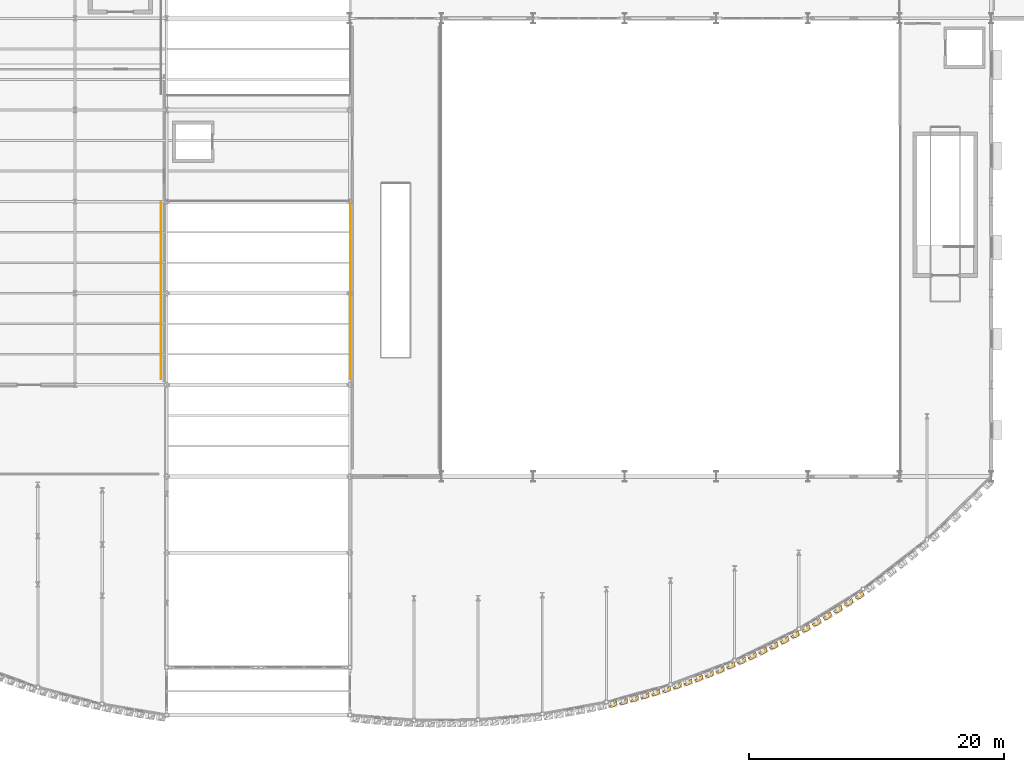
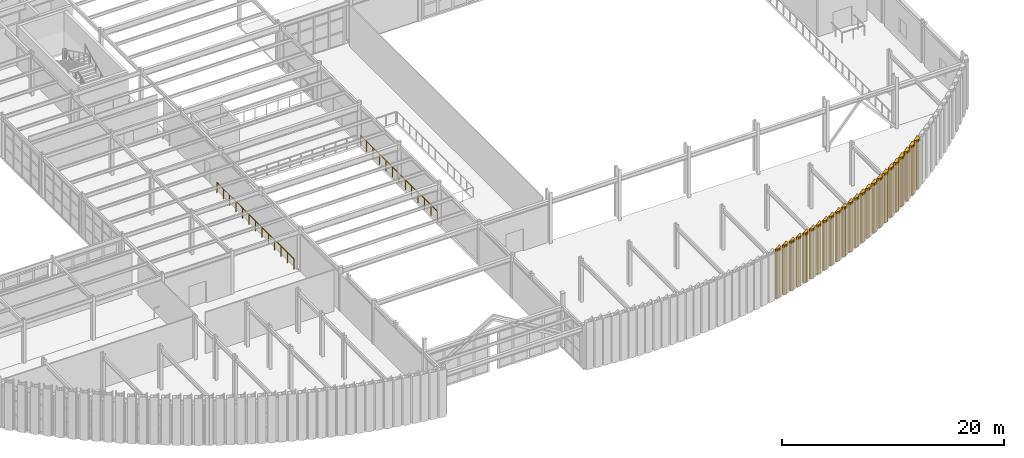
# One storey, part 119 of 126: 24 coverings, 2 railings.
"""IFC4 building model written with IfcOpenShell, lengths in metres."""

from ifc_helpers import new_model, si_unit, direction, frame, origin, origin_2d, place, context, subcontext, project, spatial, polyline, circle, outline, extrude, material, layer, layer_set, type_object, element, save


model = new_model("IFC4")

# Units and contexts
model_context = context("Model", 3, precision=1e-05, world=origin(), true_north=direction((0.0, 1.0)))
body_context = subcontext(model_context, "Body", "Model", "MODEL_VIEW")
ifc_project = project(units=[si_unit("LENGTHUNIT", "METRE"), si_unit("AREAUNIT", "SQUARE_METRE"), si_unit("VOLUMEUNIT", "CUBIC_METRE"), si_unit("PLANEANGLEUNIT", "RADIAN"), si_unit("MASSUNIT", "GRAM", prefix="KILO")], contexts=[model_context])

# Site, building, storey
site_placement = place(None, origin())
site = spatial("IfcSite", under=ifc_project, at=site_placement, CompositionType="ELEMENT")
building_placement = place(site_placement, origin())
building = spatial("IfcBuilding", under=site, at=building_placement, Name="Solvadek Multi-Sports Hall", CompositionType="ELEMENT")
storey_placement = place(building_placement, frame((0.0, 0.0, 9.60009765625)))
storey = spatial("IfcBuildingStorey", under=building, at=storey_placement, Name="L02", CompositionType="ELEMENT", Elevation=9.60009765625)

# Coverings
ifc_material_1 = material(Name="Perforated champagne-bronze anodised aluminium", Category="aluminium")
ifc_layer = layer(ifc_material_1, 0.06494140625, Name="Perforated champagne-bronze anodised aluminium")
ifc_layer_set = layer_set([ifc_layer], Name="Perforated champagne-bronze anodised aluminium")
covering_type = type_object("IfcCoveringType", Name="ENV-COV-FLUTED", PredefinedType="CLADDING", material=ifc_layer_set)
covering_1_placement = place(storey_placement, frame((0.0, 0.0, 0.010009765625)))
element("IfcCovering", 1, at=covering_1_placement, inside=storey, type_object=covering_type, Name="L02 Perforated Bronze Half-Cylinder Fluted Shell #159", PredefinedType="CLADDING", context=body_context, shape_type="SweptSolid", body=[
    extrude(outline(polyline([(107.402099609375, -11.635986328125), (107.408935546875, -11.7958984375), (107.35400390625, -11.9462890625), (107.24609375, -12.064208984375), (107.100830078125, -12.131591796875), (106.941162109375, -12.138427734375), (106.790771484375, -12.083740234375), (106.6728515625, -11.9755859375), (106.60546875, -11.83056640625), (106.668701171875, -11.815185546875), (106.56591796875, -11.937255859375), (106.52978515625, -12.0283203125), (106.56591796875, -12.07421875), (106.668701171875, -12.068603515625), (106.822265625, -12.01171875), (107.003662109375, -11.91259765625), (107.18505859375, -11.785888671875), (107.3388671875, -11.651611328125), (107.402099609375, -11.635986328125)])), origin(), (0.0, 0.0, 1.0), 5.489990234375),
])
covering_2_placement = place(storey_placement, frame((0.0, 0.0, 0.010009765625)))
element("IfcCovering", 2, at=covering_2_placement, inside=storey, type_object=covering_type, Name="L02 Perforated Bronze Half-Cylinder Fluted Shell #160", PredefinedType="CLADDING", context=body_context, shape_type="SweptSolid", body=[
    extrude(outline(polyline([(108.241943359375, -11.430908203125), (108.248779296875, -11.5908203125), (108.194091796875, -11.7412109375), (108.0859375, -11.85888671875), (107.94091796875, -11.926513671875), (107.781005859375, -11.93359375), (107.630859375, -11.878662109375), (107.512939453125, -11.7705078125), (107.4453125, -11.62548828125), (107.508544921875, -11.610107421875), (107.40576171875, -11.732177734375), (107.36962890625, -11.822998046875), (107.40576171875, -11.869140625), (107.508544921875, -11.86328125), (107.662353515625, -11.806640625), (107.84375, -11.70751953125), (108.025146484375, -11.580810546875), (108.178955078125, -11.446533203125), (108.241943359375, -11.430908203125)])), origin(), (0.0, 0.0, 1.0), 5.489990234375),
])
covering_3_placement = place(storey_placement, frame((0.0, 0.0, 0.010009765625)))
element("IfcCovering", 3, at=covering_3_placement, inside=storey, type_object=covering_type, Name="L02 Perforated Bronze Half-Cylinder Fluted Shell #163", PredefinedType="CLADDING", context=body_context, shape_type="SweptSolid", body=[
    extrude(outline(polyline([(109.081787109375, -11.199951171875), (109.093505859375, -11.359619140625), (109.043212890625, -11.511474609375), (108.938720703125, -11.632568359375), (108.795654296875, -11.704345703125), (108.635986328125, -11.716064453125), (108.484375, -11.665771484375), (108.36328125, -11.56103515625), (108.29150390625, -11.418212890625), (108.35400390625, -11.40087890625), (108.252197265625, -11.521240234375), (108.21630859375, -11.609130859375), (108.252197265625, -11.651611328125), (108.35400390625, -11.6416015625), (108.506591796875, -11.581298828125), (108.6865234375, -11.4794921875), (108.86669921875, -11.3515625), (109.019287109375, -11.21728515625), (109.081787109375, -11.199951171875)])), origin(), (0.0, 0.0, 1.0), 5.489990234375),
])
covering_4_placement = place(storey_placement, frame((0.0, 0.0, 0.010009765625)))
element("IfcCovering", 4, at=covering_4_placement, inside=storey, type_object=covering_type, Name="L02 Perforated Bronze Half-Cylinder Fluted Shell #164", PredefinedType="CLADDING", context=body_context, shape_type="SweptSolid", body=[
    extrude(outline(polyline([(109.921875, -10.96826171875), (109.93359375, -11.127685546875), (109.88330078125, -11.279541015625), (109.778564453125, -11.400634765625), (109.6357421875, -11.472412109375), (109.47607421875, -11.484130859375), (109.32421875, -11.433837890625), (109.203125, -11.329345703125), (109.13134765625, -11.186279296875), (109.194091796875, -11.169189453125), (109.092041015625, -11.289306640625), (109.056396484375, -11.37744140625), (109.092041015625, -11.419677734375), (109.194091796875, -11.409912109375), (109.3466796875, -11.349365234375), (109.526611328125, -11.24755859375), (109.70654296875, -11.119873046875), (109.859130859375, -10.985595703125), (109.921875, -10.96826171875)])), origin(), (0.0, 0.0, 1.0), 5.489990234375),
])
covering_5_placement = place(storey_placement, frame((0.0, 0.0, 0.010009765625)))
element("IfcCovering", 5, at=covering_5_placement, inside=storey, type_object=covering_type, Name="L02 Perforated Bronze Half-Cylinder Fluted Shell #167", PredefinedType="CLADDING", context=body_context, shape_type="SweptSolid", body=[
    extrude(outline(polyline([(110.76123046875, -10.7099609375), (110.777587890625, -10.869140625), (110.73193359375, -11.0224609375), (110.631103515625, -11.146484375), (110.490478515625, -11.22265625), (110.331298828125, -11.239013671875), (110.177978515625, -11.193359375), (110.0537109375, -11.092529296875), (109.977783203125, -10.951904296875), (110.039794921875, -10.9326171875), (109.938720703125, -11.051025390625), (109.9033203125, -11.135986328125), (109.938720703125, -11.17431640625), (110.039794921875, -11.16064453125), (110.191162109375, -11.0966796875), (110.369384765625, -10.9921875), (110.5478515625, -10.863037109375), (110.69921875, -10.729248046875), (110.76123046875, -10.7099609375)])), origin(), (0.0, 0.0, 1.0), 5.489990234375),
])
covering_6_placement = place(storey_placement, frame((0.0, 0.0, 0.010009765625)))
element("IfcCovering", 6, at=covering_6_placement, inside=storey, type_object=covering_type, Name="L02 Perforated Bronze Half-Cylinder Fluted Shell #168", PredefinedType="CLADDING", context=body_context, shape_type="SweptSolid", body=[
    extrude(outline(polyline([(111.601318359375, -10.45068359375), (111.61767578125, -10.60986328125), (111.572021484375, -10.76318359375), (111.47119140625, -10.887451171875), (111.330322265625, -10.96337890625), (111.17138671875, -10.97998046875), (111.01806640625, -10.93408203125), (110.893798828125, -10.833251953125), (110.817626953125, -10.692626953125), (110.8798828125, -10.67333984375), (110.77880859375, -10.791748046875), (110.743408203125, -10.876708984375), (110.77880859375, -10.915283203125), (110.8798828125, -10.9013671875), (111.031005859375, -10.83740234375), (111.20947265625, -10.73291015625), (111.387939453125, -10.603759765625), (111.5390625, -10.469970703125), (111.601318359375, -10.45068359375)])), origin(), (0.0, 0.0, 1.0), 5.489990234375),
])
covering_7_placement = place(storey_placement, frame((0.0, 0.0, 0.010009765625)))
element("IfcCovering", 7, at=covering_7_placement, inside=storey, type_object=covering_type, Name="L02 Perforated Bronze Half-Cylinder Fluted Shell #171", PredefinedType="CLADDING", context=body_context, shape_type="SweptSolid", body=[
    extrude(outline(polyline([(112.440185546875, -10.164794921875), (112.461669921875, -10.3232421875), (112.42041015625, -10.477783203125), (112.323486328125, -10.60498046875), (112.18505859375, -10.685302734375), (112.026611328125, -10.70654296875), (111.871826171875, -10.66552734375), (111.744873046875, -10.568603515625), (111.664306640625, -10.43017578125), (111.725830078125, -10.4091796875), (111.6259765625, -10.525390625), (111.5908203125, -10.607177734375), (111.6259765625, -10.6416015625), (111.725830078125, -10.623779296875), (111.875732421875, -10.556396484375), (112.052490234375, -10.44921875), (112.22900390625, -10.319091796875), (112.37890625, -10.185791015625), (112.440185546875, -10.164794921875)])), origin(), (0.0, 0.0, 1.0), 5.489990234375),
])
covering_8_placement = place(storey_placement, frame((0.0, 0.0, 0.010009765625)))
element("IfcCovering", 8, at=covering_8_placement, inside=storey, type_object=covering_type, Name="L02 Perforated Bronze Half-Cylinder Fluted Shell #172", PredefinedType="CLADDING", context=body_context, shape_type="SweptSolid", body=[
    extrude(outline(polyline([(113.2802734375, -9.877197265625), (113.301513671875, -10.035888671875), (113.260498046875, -10.1904296875), (113.163330078125, -10.317626953125), (113.025146484375, -10.39794921875), (112.866455078125, -10.419189453125), (112.7119140625, -10.378173828125), (112.584716796875, -10.281005859375), (112.50439453125, -10.142578125), (112.56591796875, -10.12158203125), (112.4658203125, -10.238037109375), (112.4306640625, -10.31982421875), (112.4658203125, -10.354248046875), (112.56591796875, -10.33642578125), (112.7158203125, -10.268798828125), (112.892333984375, -10.161865234375), (113.069091796875, -10.03173828125), (113.21875, -9.898193359375), (113.2802734375, -9.877197265625)])), origin(), (0.0, 0.0, 1.0), 5.489990234375),
])
covering_9_placement = place(storey_placement, frame((0.0, 0.0, 0.010009765625)))
element("IfcCovering", 9, at=covering_9_placement, inside=storey, type_object=covering_type, Name="L02 Perforated Bronze Half-Cylinder Fluted Shell #175", PredefinedType="CLADDING", context=body_context, shape_type="SweptSolid", body=[
    extrude(outline(polyline([(114.118896484375, -9.5625), (114.14501953125, -9.72021484375), (114.10888671875, -9.876220703125), (114.015625, -10.006103515625), (113.8798828125, -10.0908203125), (113.721923828125, -10.11669921875), (113.566162109375, -10.08056640625), (113.43603515625, -9.9873046875), (113.3515625, -9.8515625), (113.412353515625, -9.82861328125), (113.3134765625, -9.94287109375), (113.27880859375, -10.021240234375), (113.3134765625, -10.0517578125), (113.412353515625, -10.02978515625), (113.560546875, -9.958740234375), (113.7353515625, -9.849365234375), (113.909912109375, -9.718017578125), (114.05810546875, -9.585205078125), (114.118896484375, -9.5625)])), origin(), (0.0, 0.0, 1.0), 5.489990234375),
])
covering_10_placement = place(storey_placement, frame((0.0, 0.0, 0.010009765625)))
element("IfcCovering", 10, at=covering_10_placement, inside=storey, type_object=covering_type, Name="L02 Perforated Bronze Half-Cylinder Fluted Shell #176", PredefinedType="CLADDING", context=body_context, shape_type="SweptSolid", body=[
    extrude(outline(polyline([(114.958984375, -9.245849609375), (114.985107421875, -9.40380859375), (114.94873046875, -9.5595703125), (114.855712890625, -9.689697265625), (114.7197265625, -9.774169921875), (114.56201171875, -9.80029296875), (114.40625, -9.763916015625), (114.276123046875, -9.6708984375), (114.191650390625, -9.534912109375), (114.25244140625, -9.51220703125), (114.153564453125, -9.62646484375), (114.11865234375, -9.704833984375), (114.153564453125, -9.7353515625), (114.25244140625, -9.71337890625), (114.400390625, -9.64208984375), (114.5751953125, -9.53271484375), (114.75, -9.401611328125), (114.898193359375, -9.268798828125), (114.958984375, -9.245849609375)])), origin(), (0.0, 0.0, 1.0), 5.489990234375),
])
covering_11_placement = place(storey_placement, frame((0.0, 0.0, 0.010009765625)))
element("IfcCovering", 11, at=covering_11_placement, inside=storey, type_object=covering_type, Name="L02 Perforated Bronze Half-Cylinder Fluted Shell #179", PredefinedType="CLADDING", context=body_context, shape_type="SweptSolid", body=[
    extrude(outline(polyline([(115.797119140625, -8.9013671875), (115.828125, -9.058349609375), (115.796630859375, -9.215087890625), (115.707763671875, -9.347900390625), (115.57470703125, -9.436767578125), (115.41748046875, -9.4677734375), (115.2607421875, -9.436279296875), (115.1279296875, -9.34716796875), (115.039306640625, -9.214111328125), (115.09912109375, -9.189208984375), (115.00146484375, -9.30126953125), (114.967041015625, -9.376220703125), (115.00146484375, -9.402587890625), (115.09912109375, -9.376708984375), (115.24560546875, -9.302001953125), (115.418212890625, -9.190185546875), (115.5908203125, -9.05810546875), (115.737060546875, -8.926025390625), (115.797119140625, -8.9013671875)])), origin(), (0.0, 0.0, 1.0), 5.489990234375),
])
covering_12_placement = place(storey_placement, frame((0.0, 0.0, 0.010009765625)))
element("IfcCovering", 12, at=covering_12_placement, inside=storey, type_object=covering_type, Name="L02 Perforated Bronze Half-Cylinder Fluted Shell #180", PredefinedType="CLADDING", context=body_context, shape_type="SweptSolid", body=[
    extrude(outline(polyline([(116.63720703125, -8.5546875), (116.668212890625, -8.711669921875), (116.63671875, -8.868408203125), (116.547607421875, -9.00146484375), (116.41455078125, -9.090087890625), (116.257568359375, -9.12109375), (116.100830078125, -9.089599609375), (115.968017578125, -9.00048828125), (115.879150390625, -8.867431640625), (115.939208984375, -8.8427734375), (115.841552734375, -8.95458984375), (115.80712890625, -9.029541015625), (115.841552734375, -9.05615234375), (115.939208984375, -9.030029296875), (116.085693359375, -8.955322265625), (116.258056640625, -8.843505859375), (116.4306640625, -8.71142578125), (116.5771484375, -8.57958984375), (116.63720703125, -8.5546875)])), origin(), (0.0, 0.0, 1.0), 5.489990234375),
])
covering_13_placement = place(storey_placement, frame((0.0, 0.0, 0.010009765625)))
element("IfcCovering", 13, at=covering_13_placement, inside=storey, type_object=covering_type, Name="L02 Perforated Bronze Half-Cylinder Fluted Shell #183", PredefinedType="CLADDING", context=body_context, shape_type="SweptSolid", body=[
    extrude(outline(polyline([(117.474853515625, -8.17919921875), (117.510986328125, -8.335205078125), (117.484375, -8.492919921875), (117.399658203125, -8.62841796875), (117.269287109375, -8.721435546875), (117.11328125, -8.75732421875), (116.95556640625, -8.730712890625), (116.820068359375, -8.64599609375), (116.72705078125, -8.515625), (116.786376953125, -8.489013671875), (116.68994140625, -8.5986328125), (116.656005859375, -8.670166015625), (116.68994140625, -8.6923828125), (116.786376953125, -8.662109375), (116.930908203125, -8.583984375), (117.10107421875, -8.4697265625), (117.271240234375, -8.337158203125), (117.41552734375, -8.205810546875), (117.474853515625, -8.17919921875)])), origin(), (0.0, 0.0, 1.0), 5.489990234375),
])
covering_14_placement = place(storey_placement, frame((0.0, 0.0, 0.010009765625)))
element("IfcCovering", 14, at=covering_14_placement, inside=storey, type_object=covering_type, Name="L02 Perforated Bronze Half-Cylinder Fluted Shell #184", PredefinedType="CLADDING", context=body_context, shape_type="SweptSolid", body=[
    extrude(outline(polyline([(118.31494140625, -7.80126953125), (118.350830078125, -7.95703125), (118.324462890625, -8.114990234375), (118.239501953125, -8.25048828125), (118.109375, -8.343505859375), (117.953369140625, -8.37939453125), (117.795654296875, -8.352783203125), (117.659912109375, -8.26806640625), (117.567138671875, -8.1376953125), (117.62646484375, -8.111083984375), (117.530029296875, -8.220703125), (117.49609375, -8.2919921875), (117.530029296875, -8.314208984375), (117.62646484375, -8.2841796875), (117.770751953125, -8.2060546875), (117.94091796875, -8.091796875), (118.111328125, -7.958984375), (118.255615234375, -7.827880859375), (118.31494140625, -7.80126953125)])), origin(), (0.0, 0.0, 1.0), 5.489990234375),
])
covering_15_placement = place(storey_placement, frame((0.0, 0.0, 0.010009765625)))
element("IfcCovering", 15, at=covering_15_placement, inside=storey, type_object=covering_type, Name="L02 Perforated Bronze Half-Cylinder Fluted Shell #187", PredefinedType="CLADDING", context=body_context, shape_type="SweptSolid", body=[
    extrude(outline(polyline([(119.15234375, -7.393798828125), (119.193115234375, -7.54833984375), (119.171630859375, -7.706787109375), (119.09130859375, -7.84521484375), (118.964111328125, -7.942138671875), (118.809326171875, -7.98291015625), (118.65087890625, -7.961669921875), (118.512451171875, -7.881103515625), (118.41552734375, -7.75390625), (118.47412109375, -7.725341796875), (118.37890625, -7.83251953125), (118.345703125, -7.900146484375), (118.37890625, -7.918212890625), (118.47412109375, -7.8837890625), (118.6162109375, -7.802001953125), (118.783935546875, -7.685791015625), (118.95166015625, -7.552490234375), (119.093994140625, -7.422119140625), (119.15234375, -7.393798828125)])), origin(), (0.0, 0.0, 1.0), 5.489990234375),
])
covering_16_placement = place(storey_placement, frame((0.0, 0.0, 0.010009765625)))
element("IfcCovering", 16, at=covering_16_placement, inside=storey, type_object=covering_type, Name="L02 Perforated Bronze Half-Cylinder Fluted Shell #188", PredefinedType="CLADDING", context=body_context, shape_type="SweptSolid", body=[
    extrude(outline(polyline([(119.9921875, -6.98291015625), (120.033203125, -7.1376953125), (120.01171875, -7.296142578125), (119.931396484375, -7.4345703125), (119.803955078125, -7.531494140625), (119.6494140625, -7.572265625), (119.49072265625, -7.55078125), (119.3525390625, -7.470458984375), (119.255615234375, -7.34326171875), (119.31396484375, -7.314697265625), (119.218994140625, -7.421630859375), (119.185546875, -7.489501953125), (119.218994140625, -7.50732421875), (119.31396484375, -7.472900390625), (119.456298828125, -7.391357421875), (119.623779296875, -7.275146484375), (119.791748046875, -7.1416015625), (119.933837890625, -7.011474609375), (119.9921875, -6.98291015625)])), origin(), (0.0, 0.0, 1.0), 5.489990234375),
])
covering_17_placement = place(storey_placement, frame((0.0, 0.0, 0.010009765625)))
element("IfcCovering", 17, at=covering_17_placement, inside=storey, type_object=covering_type, Name="L02 Perforated Bronze Half-Cylinder Fluted Shell #191", PredefinedType="CLADDING", context=body_context, shape_type="SweptSolid", body=[
    extrude(outline(polyline([(120.8291015625, -6.5419921875), (120.875, -6.695068359375), (120.858642578125, -6.854248046875), (120.78271484375, -6.9951171875), (120.65869140625, -7.09619140625), (120.505615234375, -7.14208984375), (120.34619140625, -7.125732421875), (120.20556640625, -7.0498046875), (120.1044921875, -6.92578125), (120.161865234375, -6.895263671875), (120.068603515625, -6.999755859375), (120.03564453125, -7.063720703125), (120.068603515625, -7.077392578125), (120.161865234375, -7.038818359375), (120.3017578125, -6.95361328125), (120.466796875, -6.835205078125), (120.6318359375, -6.701416015625), (120.771728515625, -6.572265625), (120.8291015625, -6.5419921875)])), origin(), (0.0, 0.0, 1.0), 5.489990234375),
])
covering_18_placement = place(storey_placement, frame((0.0, 0.0, 0.010009765625)))
element("IfcCovering", 18, at=covering_18_placement, inside=storey, type_object=covering_type, Name="L02 Perforated Bronze Half-Cylinder Fluted Shell #192", PredefinedType="CLADDING", context=body_context, shape_type="SweptSolid", body=[
    extrude(outline(polyline([(121.669189453125, -6.096923828125), (121.715087890625, -6.250244140625), (121.69873046875, -6.4091796875), (121.622802734375, -6.550048828125), (121.498779296875, -6.651123046875), (121.345458984375, -6.697021484375), (121.186279296875, -6.6806640625), (121.04541015625, -6.604736328125), (120.944580078125, -6.480712890625), (121.001953125, -6.4501953125), (120.908447265625, -6.5546875), (120.875732421875, -6.61865234375), (120.908447265625, -6.63232421875), (121.001953125, -6.59375), (121.141845703125, -6.5087890625), (121.306884765625, -6.39013671875), (121.4716796875, -6.25634765625), (121.61181640625, -6.12744140625), (121.669189453125, -6.096923828125)])), origin(), (0.0, 0.0, 1.0), 5.489990234375),
])
covering_19_placement = place(storey_placement, frame((0.0, 0.0, 0.010009765625)))
element("IfcCovering", 19, at=covering_19_placement, inside=storey, type_object=covering_type, Name="L02 Perforated Bronze Half-Cylinder Fluted Shell #195", PredefinedType="CLADDING", context=body_context, shape_type="SweptSolid", body=[
    extrude(outline(polyline([(122.505615234375, -5.62060546875), (122.556396484375, -5.772216796875), (122.54541015625, -5.931640625), (122.47412109375, -6.074951171875), (122.353515625, -6.179931640625), (122.201904296875, -6.23095703125), (122.042236328125, -6.219970703125), (121.89892578125, -6.148681640625), (121.7939453125, -6.028076171875), (121.850341796875, -5.99560546875), (121.758544921875, -6.09716796875), (121.726318359375, -6.1572265625), (121.758544921875, -6.16650390625), (121.850341796875, -6.12353515625), (121.98779296875, -6.03515625), (122.149658203125, -5.914794921875), (122.311767578125, -5.780517578125), (122.44921875, -5.65283203125), (122.505615234375, -5.62060546875)])), origin(), (0.0, 0.0, 1.0), 5.489990234375),
])
covering_20_placement = place(storey_placement, frame((0.0, 0.0, 0.010009765625)))
element("IfcCovering", 20, at=covering_20_placement, inside=storey, type_object=covering_type, Name="L02 Perforated Bronze Half-Cylinder Fluted Shell #196", PredefinedType="CLADDING", context=body_context, shape_type="SweptSolid", body=[
    extrude(outline(polyline([(123.345458984375, -5.139404296875), (123.396484375, -5.291015625), (123.385498046875, -5.45068359375), (123.314208984375, -5.59375), (123.193603515625, -5.698974609375), (123.041748046875, -5.749755859375), (122.882080078125, -5.73876953125), (122.739013671875, -5.66748046875), (122.6337890625, -5.546875), (122.690185546875, -5.5146484375), (122.598388671875, -5.6162109375), (122.56640625, -5.676025390625), (122.598388671875, -5.685302734375), (122.690185546875, -5.642578125), (122.82763671875, -5.55419921875), (122.98974609375, -5.43359375), (123.151611328125, -5.29931640625), (123.2890625, -5.171630859375), (123.345458984375, -5.139404296875)])), origin(), (0.0, 0.0, 1.0), 5.489990234375),
])
covering_21_placement = place(storey_placement, frame((0.0, 0.0, 0.010009765625)))
element("IfcCovering", 21, at=covering_21_placement, inside=storey, type_object=covering_type, Name="L02 Perforated Bronze Half-Cylinder Fluted Shell #199", PredefinedType="CLADDING", context=body_context, shape_type="SweptSolid", body=[
    extrude(outline(polyline([(124.181396484375, -4.62548828125), (124.2373046875, -4.775390625), (124.231689453125, -4.935302734375), (124.165283203125, -5.080810546875), (124.048095703125, -5.18994140625), (123.898193359375, -5.245849609375), (123.73828125, -5.240234375), (123.593017578125, -5.173828125), (123.48388671875, -5.056884765625), (123.5390625, -5.022705078125), (123.44921875, -5.12109375), (123.41748046875, -5.177001953125), (123.44921875, -5.181640625), (123.5390625, -5.134765625), (123.673828125, -5.04296875), (123.83251953125, -4.92041015625), (123.991455078125, -4.785888671875), (124.1259765625, -4.659912109375), (124.181396484375, -4.62548828125)])), origin(), (0.0, 0.0, 1.0), 5.489990234375),
])
covering_22_placement = place(storey_placement, frame((0.0, 0.0, 0.010009765625)))
element("IfcCovering", 22, at=covering_22_placement, inside=storey, type_object=covering_type, Name="L02 Perforated Bronze Half-Cylinder Fluted Shell #200", PredefinedType="CLADDING", context=body_context, shape_type="SweptSolid", body=[
    extrude(outline(polyline([(125.021240234375, -4.106201171875), (125.077392578125, -4.256103515625), (125.071533203125, -4.416015625), (125.005126953125, -4.5615234375), (124.88818359375, -4.670654296875), (124.73828125, -4.7265625), (124.578369140625, -4.720947265625), (124.432861328125, -4.654541015625), (124.32373046875, -4.53759765625), (124.379150390625, -4.50341796875), (124.289306640625, -4.601806640625), (124.257568359375, -4.65771484375), (124.289306640625, -4.662353515625), (124.379150390625, -4.615478515625), (124.513916015625, -4.523681640625), (124.672607421875, -4.401123046875), (124.831298828125, -4.2666015625), (124.966064453125, -4.140380859375), (125.021240234375, -4.106201171875)])), origin(), (0.0, 0.0, 1.0), 5.489990234375),
])
covering_23_placement = place(storey_placement, frame((0.0, 0.0, 0.010009765625)))
element("IfcCovering", 23, at=covering_23_placement, inside=storey, type_object=covering_type, Name="L02 Perforated Bronze Half-Cylinder Fluted Shell #203", PredefinedType="CLADDING", context=body_context, shape_type="SweptSolid", body=[
    extrude(outline(polyline([(125.856689453125, -3.552978515625), (125.917724609375, -3.70068359375), (125.91748046875, -3.86083984375), (125.856201171875, -4.008544921875), (125.742919921875, -4.12158203125), (125.59521484375, -4.1826171875), (125.43505859375, -4.182373046875), (125.287353515625, -4.12109375), (125.17431640625, -4.0078125), (125.228515625, -3.9716796875), (125.140380859375, -4.06689453125), (125.109619140625, -4.11865234375), (125.140380859375, -4.118896484375), (125.228515625, -4.0673828125), (125.360107421875, -3.972412109375), (125.515380859375, -3.847900390625), (125.6708984375, -3.71337890625), (125.802490234375, -3.589111328125), (125.856689453125, -3.552978515625)])), origin(), (0.0, 0.0, 1.0), 5.489990234375),
])
covering_24_placement = place(storey_placement, frame((0.0, 0.0, 0.010009765625)))
element("IfcCovering", 24, at=covering_24_placement, inside=storey, type_object=covering_type, Name="L02 Perforated Bronze Half-Cylinder Fluted Shell #204", PredefinedType="CLADDING", context=body_context, shape_type="SweptSolid", body=[
    extrude(outline(polyline([(126.696533203125, -2.992919921875), (126.7578125, -3.140625), (126.757568359375, -3.30078125), (126.696044921875, -3.448486328125), (126.5830078125, -3.5615234375), (126.43505859375, -3.62255859375), (126.275146484375, -3.622314453125), (126.127197265625, -3.56103515625), (126.014404296875, -3.44775390625), (126.068359375, -3.41162109375), (125.98046875, -3.507080078125), (125.949462890625, -3.55859375), (125.98046875, -3.558837890625), (126.068359375, -3.50732421875), (126.2001953125, -3.412353515625), (126.35546875, -3.2880859375), (126.5107421875, -3.1533203125), (126.642578125, -3.02880859375), (126.696533203125, -2.992919921875)])), origin(), (0.0, 0.0, 1.0), 5.489990234375),
])

# Railings
ifc_material_2 = material(Name="Steel E250 (250 MPa)", Category="steel")
railing_type = type_object("IfcRailingType", Name="INT-RAL-GRD115", PredefinedType="BALUSTRADE", material=ifc_material_2)
railing_1_placement = place(storey_placement, frame((71.550048828125, 13.64990234375, 0.0)))
element("IfcRailing", 25, at=railing_1_placement, inside=storey, type_object=railing_type, Name="L02 Void Edge Balustrade Guard #17", PredefinedType="BALUSTRADE", context=body_context, shape_type="SweptSolid", body=[
    extrude(circle(Radius=0.02392578125, at=origin_2d()), frame((0.0, 0.0, 1.1259765625), z_axis=(0.0, 1.0, 0.0), x_axis=(-1.0, 0.0, 0.0)), (0.0, 0.0, 1.0), 13.89013671875),
    extrude(circle(Radius=0.02099609375, at=origin_2d()), origin(), (0.0, 0.0, 1.0), 1.101806640625),
    extrude(circle(Radius=0.02099609375, at=origin_2d()), frame((0.0, 1.157470703125, 0.0)), (0.0, 0.0, 1.0), 1.101806640625),
    extrude(circle(Radius=0.02099609375, at=origin_2d()), frame((0.0, 2.31494140625, 0.0)), (0.0, 0.0, 1.0), 1.101806640625),
    extrude(circle(Radius=0.02099609375, at=origin_2d()), frame((0.0, 3.47265625, 0.0)), (0.0, 0.0, 1.0), 1.101806640625),
    extrude(circle(Radius=0.02099609375, at=origin_2d()), frame((0.0, 4.630126953125, 0.0)), (0.0, 0.0, 1.0), 1.101806640625),
    extrude(circle(Radius=0.02099609375, at=origin_2d()), frame((0.0, 5.78759765625, 0.0)), (0.0, 0.0, 1.0), 1.101806640625),
    extrude(circle(Radius=0.02099609375, at=origin_2d()), frame((0.0, 6.945068359375, 0.0)), (0.0, 0.0, 1.0), 1.101806640625),
    extrude(circle(Radius=0.02099609375, at=origin_2d()), frame((0.0, 8.1025390625, 0.0)), (0.0, 0.0, 1.0), 1.101806640625),
    extrude(circle(Radius=0.02099609375, at=origin_2d()), frame((0.0, 9.260009765625, 0.0)), (0.0, 0.0, 1.0), 1.101806640625),
    extrude(circle(Radius=0.02099609375, at=origin_2d()), frame((0.0, 10.41748046875, 0.0)), (0.0, 0.0, 1.0), 1.101806640625),
    extrude(circle(Radius=0.02099609375, at=origin_2d()), frame((0.0, 11.5751953125, 0.0)), (0.0, 0.0, 1.0), 1.101806640625),
    extrude(circle(Radius=0.02099609375, at=origin_2d()), frame((0.0, 12.732666015625, 0.0)), (0.0, 0.0, 1.0), 1.101806640625),
    extrude(circle(Radius=0.02099609375, at=origin_2d()), frame((0.0, 13.89013671875, 0.0)), (0.0, 0.0, 1.0), 1.101806640625),
])
railing_2_placement = place(storey_placement, frame((86.4599609375, 13.64990234375, 0.0)))
element("IfcRailing", 26, at=railing_2_placement, inside=storey, type_object=railing_type, Name="L02 Void Edge Balustrade Guard #20", PredefinedType="BALUSTRADE", context=body_context, shape_type="SweptSolid", body=[
    extrude(circle(Radius=0.02392578125, at=origin_2d()), frame((0.0, 0.0, 1.1259765625), z_axis=(0.0, 1.0, 0.0), x_axis=(-1.0, 0.0, 0.0)), (0.0, 0.0, 1.0), 13.89013671875),
    extrude(circle(Radius=0.02099609375, at=origin_2d()), origin(), (0.0, 0.0, 1.0), 1.101806640625),
    extrude(circle(Radius=0.02099609375, at=origin_2d()), frame((0.0, 1.157470703125, 0.0)), (0.0, 0.0, 1.0), 1.101806640625),
    extrude(circle(Radius=0.02099609375, at=origin_2d()), frame((0.0, 2.31494140625, 0.0)), (0.0, 0.0, 1.0), 1.101806640625),
    extrude(circle(Radius=0.02099609375, at=origin_2d()), frame((0.0, 3.47265625, 0.0)), (0.0, 0.0, 1.0), 1.101806640625),
    extrude(circle(Radius=0.02099609375, at=origin_2d()), frame((0.0, 4.630126953125, 0.0)), (0.0, 0.0, 1.0), 1.101806640625),
    extrude(circle(Radius=0.02099609375, at=origin_2d()), frame((0.0, 5.78759765625, 0.0)), (0.0, 0.0, 1.0), 1.101806640625),
    extrude(circle(Radius=0.02099609375, at=origin_2d()), frame((0.0, 6.945068359375, 0.0)), (0.0, 0.0, 1.0), 1.101806640625),
    extrude(circle(Radius=0.02099609375, at=origin_2d()), frame((0.0, 8.1025390625, 0.0)), (0.0, 0.0, 1.0), 1.101806640625),
    extrude(circle(Radius=0.02099609375, at=origin_2d()), frame((0.0, 9.260009765625, 0.0)), (0.0, 0.0, 1.0), 1.101806640625),
    extrude(circle(Radius=0.02099609375, at=origin_2d()), frame((0.0, 10.41748046875, 0.0)), (0.0, 0.0, 1.0), 1.101806640625),
    extrude(circle(Radius=0.02099609375, at=origin_2d()), frame((0.0, 11.5751953125, 0.0)), (0.0, 0.0, 1.0), 1.101806640625),
    extrude(circle(Radius=0.02099609375, at=origin_2d()), frame((0.0, 12.732666015625, 0.0)), (0.0, 0.0, 1.0), 1.101806640625),
    extrude(circle(Radius=0.02099609375, at=origin_2d()), frame((0.0, 13.89013671875, 0.0)), (0.0, 0.0, 1.0), 1.101806640625),
])

save(model, "model.ifc")
